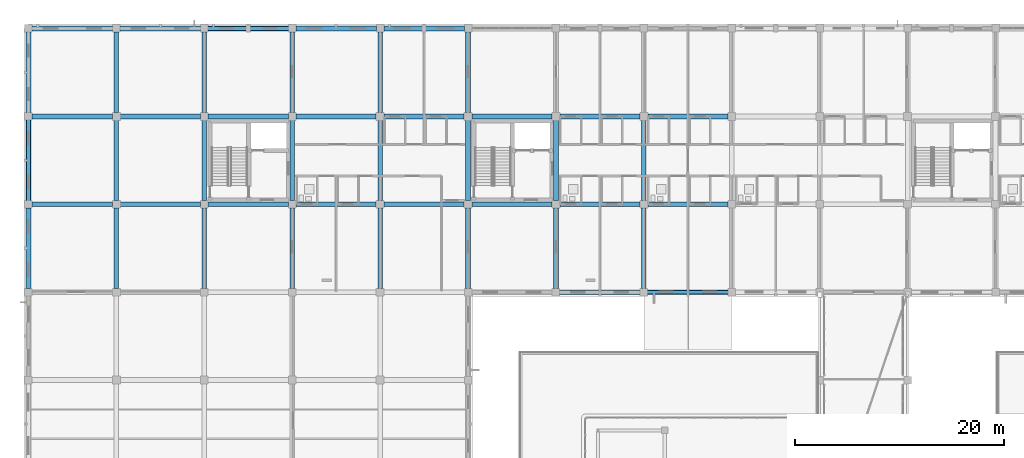
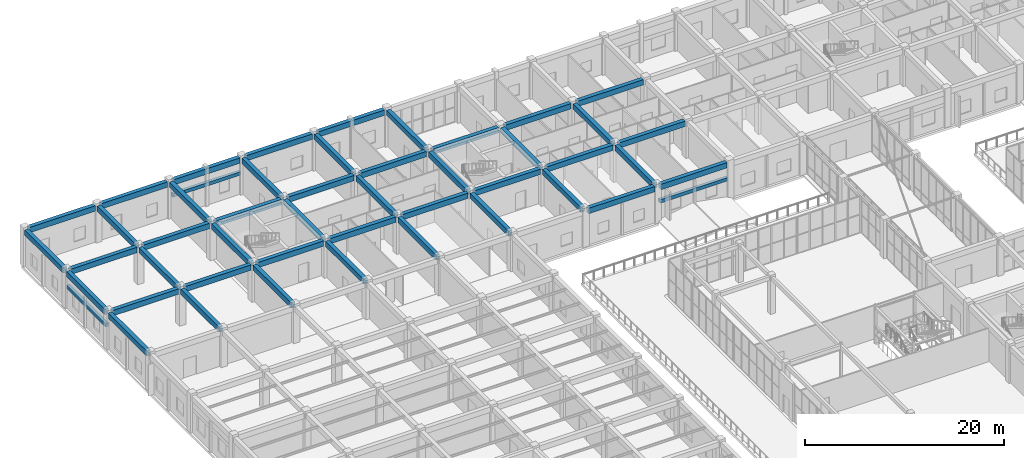
# One storey, part 61 of 158: 48 beams.
"""IFC4 building model written with IfcOpenShell, lengths in metres."""

from ifc_helpers import new_model, si_unit, direction, frame, origin, origin_2d, place, context, subcontext, project, spatial, rectangle, extrude, material, material_profile, profile_set, type_object, element, save


model = new_model("IFC4")

# Units and contexts
model_context = context("Model", 3, precision=1e-05, world=origin(), true_north=direction((0.0, 1.0)))
body_context = subcontext(model_context, "Body", "Model", "MODEL_VIEW")
ifc_project = project(units=[si_unit("LENGTHUNIT", "METRE"), si_unit("AREAUNIT", "SQUARE_METRE"), si_unit("VOLUMEUNIT", "CUBIC_METRE"), si_unit("PLANEANGLEUNIT", "RADIAN"), si_unit("MASSUNIT", "GRAM", prefix="KILO")], contexts=[model_context])

# Site, building, storey
site_placement = place(None, origin())
site = spatial("IfcSite", under=ifc_project, at=site_placement, CompositionType="ELEMENT")
building_placement = place(site_placement, origin())
building = spatial("IfcBuilding", under=site, at=building_placement, Name="Trelvath General Hospital", CompositionType="ELEMENT")
storey_placement = place(building_placement, frame((0.0, 0.0, 8.10009765625)))
storey = spatial("IfcBuildingStorey", under=building, at=storey_placement, Name="L02", CompositionType="ELEMENT", Elevation=8.10009765625)

# Beams
ifc_material_1 = material(Name="Concrete C35/45", Category="concrete")
ifc_material_profile_1 = material_profile(ifc_material_1, rectangle(XDim=0.449951171875, YDim=0.64990234375, at=origin_2d()), Name="RCB450x650")
ifc_profile_set_1 = profile_set([ifc_material_profile_1], Name="Concrete C35/45")
beam_type_1 = type_object("IfcBeamType", Name="Beam RC450x650", PredefinedType="BEAM", material=ifc_profile_set_1)
beam_1_placement = place(storey_placement, frame((0.0, 92.7548828125, 4.19482421875), z_axis=(0.0, 1.0, 0.0), x_axis=(-1.0, 0.0, 0.0)))
element("IfcBeam", 1, at=beam_1_placement, inside=storey, type_object=beam_type_1, Name="Grid Beam BY-200L", PredefinedType="BEAM", context=body_context, shape_type="SweptSolid", body=[
    extrude(rectangle(XDim=0.449951171875, YDim=0.64990234375, at=origin_2d()), origin(), (0.0, 0.0, 1.0), 7.690185546875),
])
beam_2_placement = place(storey_placement, frame((0.0, 101.155029296875, 4.19482421875), z_axis=(0.0, 1.0, 0.0), x_axis=(-1.0, 0.0, 0.0)))
element("IfcBeam", 2, at=beam_2_placement, inside=storey, type_object=beam_type_1, Name="Grid Beam BY-200M", PredefinedType="BEAM", context=body_context, shape_type="SweptSolid", body=[
    extrude(rectangle(XDim=0.449951171875, YDim=0.64990234375, at=origin_2d()), origin(), (0.0, 0.0, 1.0), 7.68994140625),
])
beam_3_placement = place(storey_placement, frame((0.0, 109.554931640625, 4.19482421875), z_axis=(0.0, 1.0, 0.0), x_axis=(-1.0, 0.0, 0.0)))
element("IfcBeam", 3, at=beam_3_placement, inside=storey, type_object=beam_type_1, Name="Grid Beam BY-200N", PredefinedType="BEAM", context=body_context, shape_type="SweptSolid", body=[
    extrude(rectangle(XDim=0.449951171875, YDim=0.64990234375, at=origin_2d()), origin(), (0.0, 0.0, 1.0), 7.690185546875),
])
beam_4_placement = place(storey_placement, frame((8.39990234375, 92.77001953125, 4.19482421875), z_axis=(0.0, 1.0, 0.0), x_axis=(-1.0, 0.0, 0.0)))
element("IfcBeam", 4, at=beam_4_placement, inside=storey, type_object=beam_type_1, Name="Grid Beam BY-201L", PredefinedType="BEAM", context=body_context, shape_type="SweptSolid", body=[
    extrude(rectangle(XDim=0.449951171875, YDim=0.64990234375, at=origin_2d()), origin(), (0.0, 0.0, 1.0), 7.659912109375),
])
beam_5_placement = place(storey_placement, frame((8.39990234375, 101.169921875, 4.19482421875), z_axis=(0.0, 1.0, 0.0), x_axis=(-1.0, 0.0, 0.0)))
element("IfcBeam", 5, at=beam_5_placement, inside=storey, type_object=beam_type_1, Name="Grid Beam BY-201M", PredefinedType="BEAM", context=body_context, shape_type="SweptSolid", body=[
    extrude(rectangle(XDim=0.449951171875, YDim=0.64990234375, at=origin_2d()), origin(), (0.0, 0.0, 1.0), 7.66015625),
])
beam_6_placement = place(storey_placement, frame((8.39990234375, 109.570068359375, 4.19482421875), z_axis=(0.0, 1.0, 0.0), x_axis=(-1.0, 0.0, 0.0)))
element("IfcBeam", 6, at=beam_6_placement, inside=storey, type_object=beam_type_1, Name="Grid Beam BY-201N", PredefinedType="BEAM", context=body_context, shape_type="SweptSolid", body=[
    extrude(rectangle(XDim=0.449951171875, YDim=0.64990234375, at=origin_2d()), origin(), (0.0, 0.0, 1.0), 7.675048828125),
])
beam_7_placement = place(storey_placement, frame((16.800048828125, 92.77001953125, 4.19482421875), z_axis=(0.0, 1.0, 0.0), x_axis=(-1.0, 0.0, 0.0)))
element("IfcBeam", 7, at=beam_7_placement, inside=storey, type_object=beam_type_1, Name="Grid Beam BY-202L", PredefinedType="BEAM", context=body_context, shape_type="SweptSolid", body=[
    extrude(rectangle(XDim=0.449951171875, YDim=0.64990234375, at=origin_2d()), origin(), (0.0, 0.0, 1.0), 7.659912109375),
])
beam_8_placement = place(storey_placement, frame((16.800048828125, 101.169921875, 4.19482421875), z_axis=(0.0, 1.0, 0.0), x_axis=(-1.0, 0.0, 0.0)))
element("IfcBeam", 8, at=beam_8_placement, inside=storey, type_object=beam_type_1, Name="Grid Beam BY-202M", PredefinedType="BEAM", context=body_context, shape_type="SweptSolid", body=[
    extrude(rectangle(XDim=0.449951171875, YDim=0.64990234375, at=origin_2d()), origin(), (0.0, 0.0, 1.0), 7.66015625),
])
beam_9_placement = place(storey_placement, frame((16.800048828125, 109.570068359375, 4.19482421875), z_axis=(0.0, 1.0, 0.0), x_axis=(-1.0, 0.0, 0.0)))
element("IfcBeam", 9, at=beam_9_placement, inside=storey, type_object=beam_type_1, Name="Grid Beam BY-202N", PredefinedType="BEAM", context=body_context, shape_type="SweptSolid", body=[
    extrude(rectangle(XDim=0.449951171875, YDim=0.64990234375, at=origin_2d()), origin(), (0.0, 0.0, 1.0), 7.675048828125),
])
beam_10_placement = place(storey_placement, frame((25.199951171875, 92.77001953125, 4.19482421875), z_axis=(0.0, 1.0, 0.0), x_axis=(-1.0, 0.0, 0.0)))
element("IfcBeam", 10, at=beam_10_placement, inside=storey, type_object=beam_type_1, Name="Grid Beam BY-203L", PredefinedType="BEAM", context=body_context, shape_type="SweptSolid", body=[
    extrude(rectangle(XDim=0.449951171875, YDim=0.64990234375, at=origin_2d()), origin(), (0.0, 0.0, 1.0), 7.659912109375),
])
beam_11_placement = place(storey_placement, frame((25.199951171875, 101.169921875, 4.19482421875), z_axis=(0.0, 1.0, 0.0), x_axis=(-1.0, 0.0, 0.0)))
element("IfcBeam", 11, at=beam_11_placement, inside=storey, type_object=beam_type_1, Name="Grid Beam BY-203M", PredefinedType="BEAM", context=body_context, shape_type="SweptSolid", body=[
    extrude(rectangle(XDim=0.449951171875, YDim=0.64990234375, at=origin_2d()), origin(), (0.0, 0.0, 1.0), 7.66015625),
])
beam_12_placement = place(storey_placement, frame((25.199951171875, 109.570068359375, 4.19482421875), z_axis=(0.0, 1.0, 0.0), x_axis=(-1.0, 0.0, 0.0)))
element("IfcBeam", 12, at=beam_12_placement, inside=storey, type_object=beam_type_1, Name="Grid Beam BY-203N", PredefinedType="BEAM", context=body_context, shape_type="SweptSolid", body=[
    extrude(rectangle(XDim=0.449951171875, YDim=0.64990234375, at=origin_2d()), origin(), (0.0, 0.0, 1.0), 7.675048828125),
])
beam_13_placement = place(storey_placement, frame((33.60009765625, 92.77001953125, 4.19482421875), z_axis=(0.0, 1.0, 0.0), x_axis=(-1.0, 0.0, 0.0)))
element("IfcBeam", 13, at=beam_13_placement, inside=storey, type_object=beam_type_1, Name="Grid Beam BY-204L", PredefinedType="BEAM", context=body_context, shape_type="SweptSolid", body=[
    extrude(rectangle(XDim=0.449951171875, YDim=0.64990234375, at=origin_2d()), origin(), (0.0, 0.0, 1.0), 7.659912109375),
])
beam_14_placement = place(storey_placement, frame((33.60009765625, 101.169921875, 4.19482421875), z_axis=(0.0, 1.0, 0.0), x_axis=(-1.0, 0.0, 0.0)))
element("IfcBeam", 14, at=beam_14_placement, inside=storey, type_object=beam_type_1, Name="Grid Beam BY-204M", PredefinedType="BEAM", context=body_context, shape_type="SweptSolid", body=[
    extrude(rectangle(XDim=0.449951171875, YDim=0.64990234375, at=origin_2d()), origin(), (0.0, 0.0, 1.0), 7.66015625),
])
for number, where, z_axis, x_axis, name in (
    (15, (33.60009765625, 109.570068359375, 4.19482421875), (0.0, 1.0, 0.0), (-1.0, 0.0, 0.0), "Grid Beam BY-204N"),
    (16, (42.0, 92.7548828125, 4.19482421875), (0.0, 1.0, 0.0), (-1.0, 0.0, 0.0), "Grid Beam BY-205L"),
):
    element("IfcBeam", number, at=place(storey_placement, frame(where, z_axis=z_axis, x_axis=x_axis)), inside=storey, type_object=beam_type_1, Name=name, PredefinedType="BEAM", context=body_context, shape_type="SweptSolid", body=[
        extrude(rectangle(XDim=0.449951171875, YDim=0.64990234375, at=origin_2d()), origin(), (0.0, 0.0, 1.0), 7.675048828125),
    ])
beam_15_placement = place(storey_placement, frame((42.0, 101.169921875, 4.19482421875), z_axis=(0.0, 1.0, 0.0), x_axis=(-1.0, 0.0, 0.0)))
element("IfcBeam", 17, at=beam_15_placement, inside=storey, type_object=beam_type_1, Name="Grid Beam BY-205M", PredefinedType="BEAM", context=body_context, shape_type="SweptSolid", body=[
    extrude(rectangle(XDim=0.449951171875, YDim=0.64990234375, at=origin_2d()), origin(), (0.0, 0.0, 1.0), 7.66015625),
])
for number, where, z_axis, x_axis, name in (
    (18, (42.0, 109.570068359375, 4.19482421875), (0.0, 1.0, 0.0), (-1.0, 0.0, 0.0), "Grid Beam BY-205N"),
    (19, (50.39990234375, 92.7548828125, 4.19482421875), (0.0, 1.0, 0.0), (-1.0, 0.0, 0.0), "Grid Beam BY-206L"),
):
    element("IfcBeam", number, at=place(storey_placement, frame(where, z_axis=z_axis, x_axis=x_axis)), inside=storey, type_object=beam_type_1, Name=name, PredefinedType="BEAM", context=body_context, shape_type="SweptSolid", body=[
        extrude(rectangle(XDim=0.449951171875, YDim=0.64990234375, at=origin_2d()), origin(), (0.0, 0.0, 1.0), 7.675048828125),
    ])
beam_16_placement = place(storey_placement, frame((50.39990234375, 101.169921875, 4.19482421875), z_axis=(0.0, 1.0, 0.0), x_axis=(-1.0, 0.0, 0.0)))
element("IfcBeam", 20, at=beam_16_placement, inside=storey, type_object=beam_type_1, Name="Grid Beam BY-206M", PredefinedType="BEAM", context=body_context, shape_type="SweptSolid", body=[
    extrude(rectangle(XDim=0.449951171875, YDim=0.64990234375, at=origin_2d()), origin(), (0.0, 0.0, 1.0), 7.66015625),
])
beam_17_placement = place(storey_placement, frame((58.800048828125, 92.7548828125, 4.19482421875), z_axis=(0.0, 1.0, 0.0), x_axis=(-1.0, 0.0, 0.0)))
element("IfcBeam", 21, at=beam_17_placement, inside=storey, type_object=beam_type_1, Name="Grid Beam BY-207L", PredefinedType="BEAM", context=body_context, shape_type="SweptSolid", body=[
    extrude(rectangle(XDim=0.449951171875, YDim=0.64990234375, at=origin_2d()), origin(), (0.0, 0.0, 1.0), 7.675048828125),
])
beam_18_placement = place(storey_placement, frame((58.800048828125, 101.169921875, 4.19482421875), z_axis=(0.0, 1.0, 0.0), x_axis=(-1.0, 0.0, 0.0)))
element("IfcBeam", 22, at=beam_18_placement, inside=storey, type_object=beam_type_1, Name="Grid Beam BY-207M", PredefinedType="BEAM", context=body_context, shape_type="SweptSolid", body=[
    extrude(rectangle(XDim=0.449951171875, YDim=0.64990234375, at=origin_2d()), origin(), (0.0, 0.0, 1.0), 7.66015625),
])
ifc_material_2 = material(Name="Concrete C35/45", Category="concrete")
ifc_material_profile_2 = material_profile(ifc_material_2, rectangle(XDim=0.4599609375, YDim=0.659912109375, at=origin_2d()), Name="RCB460x660")
ifc_profile_set_2 = profile_set([ifc_material_profile_2], Name="Concrete C35/45")
beam_type_2 = type_object("IfcBeamType", Name="Beam RC460x660", PredefinedType="BEAM", material=ifc_profile_set_2)
for number, where, z_axis, x_axis, name in (
    (23, (0.35498046875, 100.800048828125, 4.18994140625), (1.0, 0.0, 0.0), (0.0, 1.0, 0.0), "Grid Beam BX-200M"),
    (24, (0.35498046875, 109.199951171875, 4.18994140625), (1.0, 0.0, 0.0), (0.0, 1.0, 0.0), "Grid Beam BX-200N"),
):
    element("IfcBeam", number, at=place(storey_placement, frame(where, z_axis=z_axis, x_axis=x_axis)), inside=storey, type_object=beam_type_2, Name=name, PredefinedType="BEAM", context=body_context, shape_type="SweptSolid", body=[
        extrude(rectangle(XDim=0.4599609375, YDim=0.659912109375, at=origin_2d()), origin(), (0.0, 0.0, 1.0), 7.675048828125),
    ])
beam_19_placement = place(storey_placement, frame((0.35498046875, 117.60009765625, 4.18994140625), z_axis=(1.0, 0.0, 0.0), x_axis=(0.0, 1.0, 0.0)))
element("IfcBeam", 25, at=beam_19_placement, inside=storey, type_object=beam_type_2, Name="Grid Beam BX-200O", PredefinedType="BEAM", context=body_context, shape_type="SweptSolid", body=[
    extrude(rectangle(XDim=0.4599609375, YDim=0.659912109375, at=origin_2d()), origin(), (0.0, 0.0, 1.0), 7.68994140625),
])
for number, where, z_axis, x_axis, name in (
    (26, (8.77001953125, 100.800048828125, 4.18994140625), (1.0, 0.0, 0.0), (0.0, 1.0, 0.0), "Grid Beam BX-201M"),
    (27, (8.77001953125, 109.199951171875, 4.18994140625), (1.0, 0.0, 0.0), (0.0, 1.0, 0.0), "Grid Beam BX-201N"),
):
    element("IfcBeam", number, at=place(storey_placement, frame(where, z_axis=z_axis, x_axis=x_axis)), inside=storey, type_object=beam_type_2, Name=name, PredefinedType="BEAM", context=body_context, shape_type="SweptSolid", body=[
        extrude(rectangle(XDim=0.4599609375, YDim=0.659912109375, at=origin_2d()), origin(), (0.0, 0.0, 1.0), 7.659912109375),
    ])
beam_20_placement = place(storey_placement, frame((8.7548828125, 117.60009765625, 4.18994140625), z_axis=(1.0, 0.0, 0.0), x_axis=(0.0, 1.0, 0.0)))
element("IfcBeam", 28, at=beam_20_placement, inside=storey, type_object=beam_type_2, Name="Grid Beam BX-201O", PredefinedType="BEAM", context=body_context, shape_type="SweptSolid", body=[
    extrude(rectangle(XDim=0.4599609375, YDim=0.659912109375, at=origin_2d()), origin(), (0.0, 0.0, 1.0), 7.690185546875),
])
for number, where, z_axis, x_axis, name in (
    (29, (17.169921875, 100.800048828125, 4.18994140625), (1.0, 0.0, 0.0), (0.0, 1.0, 0.0), "Grid Beam BX-202M"),
    (30, (17.169921875, 109.199951171875, 4.18994140625), (1.0, 0.0, 0.0), (0.0, 1.0, 0.0), "Grid Beam BX-202N"),
):
    element("IfcBeam", number, at=place(storey_placement, frame(where, z_axis=z_axis, x_axis=x_axis)), inside=storey, type_object=beam_type_2, Name=name, PredefinedType="BEAM", context=body_context, shape_type="SweptSolid", body=[
        extrude(rectangle(XDim=0.4599609375, YDim=0.659912109375, at=origin_2d()), origin(), (0.0, 0.0, 1.0), 7.66015625),
    ])
beam_21_placement = place(storey_placement, frame((17.155029296875, 117.60009765625, 4.18994140625), z_axis=(1.0, 0.0, 0.0), x_axis=(0.0, 1.0, 0.0)))
element("IfcBeam", 31, at=beam_21_placement, inside=storey, type_object=beam_type_2, Name="Grid Beam BX-202O", PredefinedType="BEAM", context=body_context, shape_type="SweptSolid", body=[
    extrude(rectangle(XDim=0.4599609375, YDim=0.659912109375, at=origin_2d()), origin(), (0.0, 0.0, 1.0), 7.68994140625),
])
for number, where, z_axis, x_axis, name in (
    (32, (25.570068359375, 100.800048828125, 4.18994140625), (1.0, 0.0, 0.0), (0.0, 1.0, 0.0), "Grid Beam BX-203M"),
    (33, (25.570068359375, 109.199951171875, 4.18994140625), (1.0, 0.0, 0.0), (0.0, 1.0, 0.0), "Grid Beam BX-203N"),
):
    element("IfcBeam", number, at=place(storey_placement, frame(where, z_axis=z_axis, x_axis=x_axis)), inside=storey, type_object=beam_type_2, Name=name, PredefinedType="BEAM", context=body_context, shape_type="SweptSolid", body=[
        extrude(rectangle(XDim=0.4599609375, YDim=0.659912109375, at=origin_2d()), origin(), (0.0, 0.0, 1.0), 7.659912109375),
    ])
beam_22_placement = place(storey_placement, frame((25.554931640625, 117.60009765625, 4.18994140625), z_axis=(1.0, 0.0, 0.0), x_axis=(0.0, 1.0, 0.0)))
element("IfcBeam", 34, at=beam_22_placement, inside=storey, type_object=beam_type_2, Name="Grid Beam BX-203O", PredefinedType="BEAM", context=body_context, shape_type="SweptSolid", body=[
    extrude(rectangle(XDim=0.4599609375, YDim=0.659912109375, at=origin_2d()), origin(), (0.0, 0.0, 1.0), 7.690185546875),
])
for number, where, z_axis, x_axis, name in (
    (35, (33.969970703125, 100.800048828125, 4.18994140625), (1.0, 0.0, 0.0), (0.0, 1.0, 0.0), "Grid Beam BX-204M"),
    (36, (33.969970703125, 109.199951171875, 4.18994140625), (1.0, 0.0, 0.0), (0.0, 1.0, 0.0), "Grid Beam BX-204N"),
):
    element("IfcBeam", number, at=place(storey_placement, frame(where, z_axis=z_axis, x_axis=x_axis)), inside=storey, type_object=beam_type_2, Name=name, PredefinedType="BEAM", context=body_context, shape_type="SweptSolid", body=[
        extrude(rectangle(XDim=0.4599609375, YDim=0.659912109375, at=origin_2d()), origin(), (0.0, 0.0, 1.0), 7.659912109375),
    ])
beam_23_placement = place(storey_placement, frame((33.955078125, 117.60009765625, 4.18994140625), z_axis=(1.0, 0.0, 0.0), x_axis=(0.0, 1.0, 0.0)))
element("IfcBeam", 37, at=beam_23_placement, inside=storey, type_object=beam_type_2, Name="Grid Beam BX-204O", PredefinedType="BEAM", context=body_context, shape_type="SweptSolid", body=[
    extrude(rectangle(XDim=0.4599609375, YDim=0.659912109375, at=origin_2d()), origin(), (0.0, 0.0, 1.0), 7.68994140625),
])
for number, where, z_axis, x_axis, name in (
    (38, (42.3701171875, 100.800048828125, 4.18994140625), (1.0, 0.0, 0.0), (0.0, 1.0, 0.0), "Grid Beam BX-205M"),
    (39, (42.3701171875, 109.199951171875, 4.18994140625), (1.0, 0.0, 0.0), (0.0, 1.0, 0.0), "Grid Beam BX-205N"),
):
    element("IfcBeam", number, at=place(storey_placement, frame(where, z_axis=z_axis, x_axis=x_axis)), inside=storey, type_object=beam_type_2, Name=name, PredefinedType="BEAM", context=body_context, shape_type="SweptSolid", body=[
        extrude(rectangle(XDim=0.4599609375, YDim=0.659912109375, at=origin_2d()), origin(), (0.0, 0.0, 1.0), 7.659912109375),
    ])
beam_24_placement = place(storey_placement, frame((50.7548828125, 92.39990234375, 4.18994140625), z_axis=(1.0, 0.0, 0.0), x_axis=(0.0, 1.0, 0.0)))
element("IfcBeam", 40, at=beam_24_placement, inside=storey, type_object=beam_type_2, Name="Grid Beam BX-206L", PredefinedType="BEAM", context=body_context, shape_type="SweptSolid", body=[
    extrude(rectangle(XDim=0.4599609375, YDim=0.659912109375, at=origin_2d()), origin(), (0.0, 0.0, 1.0), 7.690185546875),
])
for number, where, z_axis, x_axis, name in (
    (41, (50.77001953125, 100.800048828125, 4.18994140625), (1.0, 0.0, 0.0), (0.0, 1.0, 0.0), "Grid Beam BX-206M"),
    (42, (50.77001953125, 109.199951171875, 4.18994140625), (1.0, 0.0, 0.0), (0.0, 1.0, 0.0), "Grid Beam BX-206N"),
):
    element("IfcBeam", number, at=place(storey_placement, frame(where, z_axis=z_axis, x_axis=x_axis)), inside=storey, type_object=beam_type_2, Name=name, PredefinedType="BEAM", context=body_context, shape_type="SweptSolid", body=[
        extrude(rectangle(XDim=0.4599609375, YDim=0.659912109375, at=origin_2d()), origin(), (0.0, 0.0, 1.0), 7.659912109375),
    ])
beam_25_placement = place(storey_placement, frame((59.155029296875, 92.39990234375, 4.18994140625), z_axis=(1.0, 0.0, 0.0), x_axis=(0.0, 1.0, 0.0)))
element("IfcBeam", 43, at=beam_25_placement, inside=storey, type_object=beam_type_2, Name="Grid Beam BX-207L", PredefinedType="BEAM", context=body_context, shape_type="SweptSolid", body=[
    extrude(rectangle(XDim=0.4599609375, YDim=0.659912109375, at=origin_2d()), origin(), (0.0, 0.0, 1.0), 7.68994140625),
])
for number, where, z_axis, x_axis, name in (
    (44, (59.169921875, 100.800048828125, 4.18994140625), (1.0, 0.0, 0.0), (0.0, 1.0, 0.0), "Grid Beam BX-207M"),
    (45, (59.169921875, 109.199951171875, 4.18994140625), (1.0, 0.0, 0.0), (0.0, 1.0, 0.0), "Grid Beam BX-207N"),
):
    element("IfcBeam", number, at=place(storey_placement, frame(where, z_axis=z_axis, x_axis=x_axis)), inside=storey, type_object=beam_type_2, Name=name, PredefinedType="BEAM", context=body_context, shape_type="SweptSolid", body=[
        extrude(rectangle(XDim=0.4599609375, YDim=0.659912109375, at=origin_2d()), origin(), (0.0, 0.0, 1.0), 7.66015625),
    ])
ifc_material_3 = material(Name="Precast concrete C40/50", Category="concrete")
ifc_material_profile_3 = material_profile(ifc_material_3, rectangle(XDim=0.35009765625, YDim=0.419921875, at=origin_2d()), Name="PCL350x420")
ifc_profile_set_3 = profile_set([ifc_material_profile_3], Name="Precast concrete C40/50")
beam_type_3 = type_object("IfcBeamType", Name="Lintel PC350x420", PredefinedType="LINTEL", material=ifc_profile_set_3)
for number, where, z_axis, x_axis, name in (
    (46, (0.0, 101.074951171875, 2.58984375), (0.0, 1.0, 0.0), (-1.0, 0.0, 0.0), "Precast Window Brow Lintel L02-233"),
    (47, (17.074951171875, 117.60009765625, 2.5498046875), (1.0, 0.0, 0.0), (0.0, 1.0, 0.0), "Precast Window Brow Lintel L02-239"),
    (48, (66.925048828125, 92.39990234375, 2.409912109375), (-1.0, 0.0, 0.0), (0.0, -1.0, 0.0), "Precast Window Brow Lintel L02-260"),
):
    element("IfcBeam", number, at=place(storey_placement, frame(where, z_axis=z_axis, x_axis=x_axis)), inside=storey, type_object=beam_type_3, Name=name, PredefinedType="LINTEL", context=body_context, shape_type="SweptSolid", body=[
        extrude(rectangle(XDim=0.35009765625, YDim=0.419921875, at=origin_2d()), origin(), (0.0, 0.0, 1.0), 7.85009765625),
    ])

save(model, "model.ifc")
